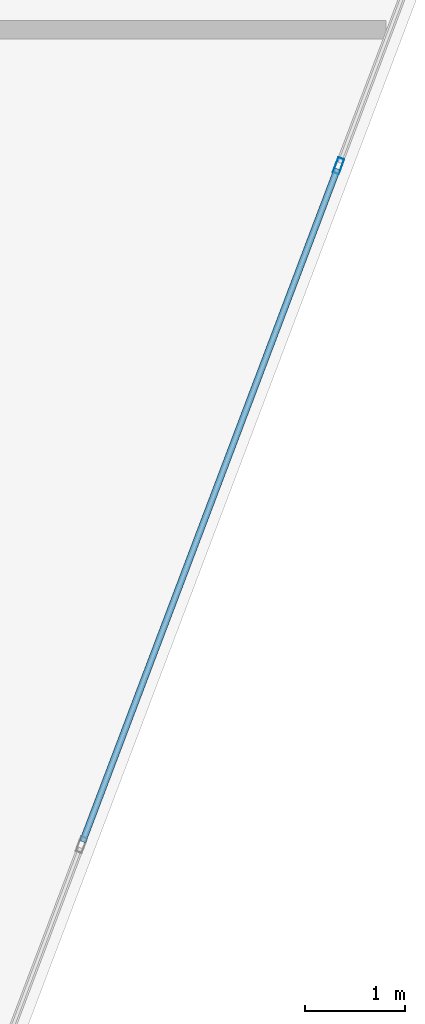
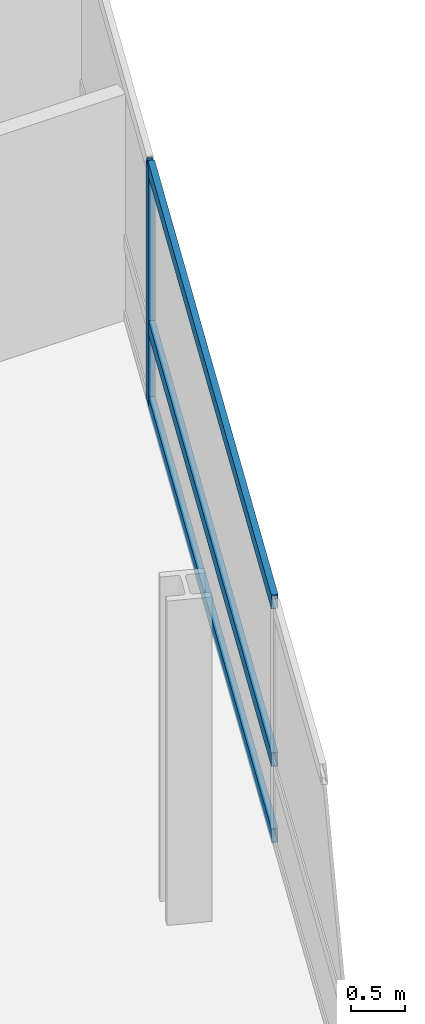
# One storey, part 12 of 25: 4 members, 1 element without a shape of its own.
"""IFC4 building model written with IfcOpenShell, lengths in metres."""

from ifc_helpers import new_model, si_unit, direction, frame, origin, origin_2d, place, context, subcontext, project, spatial, hollow_rectangle, extrude, material, layer, layer_set, material_profile, profile_set, type_object, element, aggregate, save


model = new_model("IFC4")

# Units and contexts
model_context = context("Model", 3, precision=1e-05, world=origin(), true_north=direction((0.0, 1.0)))
body_context = subcontext(model_context, "Body", "Model", "MODEL_VIEW")
ifc_project = project(units=[si_unit("LENGTHUNIT", "METRE"), si_unit("AREAUNIT", "SQUARE_METRE"), si_unit("VOLUMEUNIT", "CUBIC_METRE"), si_unit("PLANEANGLEUNIT", "RADIAN"), si_unit("MASSUNIT", "GRAM", prefix="KILO")], contexts=[model_context])

# Site, building, storey
site_placement = place(None, origin())
site = spatial("IfcSite", under=ifc_project, at=site_placement, CompositionType="ELEMENT")
building_placement = place(site_placement, origin())
building = spatial("IfcBuilding", under=site, at=building_placement, Name="Varnelok Gate Tower", CompositionType="ELEMENT")
storey_placement = place(building_placement, frame((0.0, 0.0, 105.800048828125)))
storey = spatial("IfcBuildingStorey", under=building, at=storey_placement, Name="L26", CompositionType="ELEMENT", Elevation=105.800048828125)

# Curtain wall, members
ifc_material = material(Name="Anodized Aluminum Alloy 6063-T6", Category="aluminium")
ifc_layer = layer(ifc_material, 0.179931640625)
ifc_layer_set = layer_set([ifc_layer], Name="Anodized Aluminum Alloy 6063-T6")
curtain_wall_type = type_object("IfcCurtainWallType", Name="CW3-HOTEL-VISION", PredefinedType="USERDEFINED", material=ifc_layer_set)
curtain_wall_placement = place(storey_placement, origin())
curtain_wall = element("IfcCurtainWall", 1, at=curtain_wall_placement, inside=storey, type_object=curtain_wall_type, Name="L26 East End Vision Curtain Wall", ObjectType="UNITISED CURTAIN WALL", PredefinedType="USERDEFINED")
ifc_material_profile_1 = material_profile(ifc_material, hollow_rectangle(XDim=0.06494140625, YDim=0.159912109375, WallThickness=0.00390625, at=origin_2d()), Name="ALU160X65X4")
ifc_profile_set_1 = profile_set([ifc_material_profile_1], Name="Anodized Aluminum Alloy 6063-T6")
member_type_1 = type_object("IfcMemberType", Name="CW-MULL-160", PredefinedType="MULLION", material=ifc_profile_set_1)
member_1_placement = place(storey_placement, frame((75.328125, 15.4931640625, 0.0), z_axis=(0.0, 0.0, 1.0), x_axis=(0.935221323688, -0.354063660545, 0.0)))
member_1 = element("IfcMember", 2, at=member_1_placement, type_object=member_type_1, Name="CW3 mullion 3", PredefinedType="MULLION", context=body_context, shape_type="SweptSolid", body=[
    extrude(hollow_rectangle(XDim=0.06494140625, YDim=0.159912109375, WallThickness=0.00390625, at=origin_2d()), origin(), (0.0, 0.0, 1.0), 2.72998046875),
])
ifc_material_profile_2 = material_profile(ifc_material, hollow_rectangle(XDim=0.06494140625, YDim=0.159912109375, WallThickness=0.00390625, at=origin_2d()), Name="ALU160X65X4")
ifc_profile_set_2 = profile_set([ifc_material_profile_2], Name="Anodized Aluminum Alloy 6063-T6")
member_type_2 = type_object("IfcMemberType", Name="CW-TRAN-160", PredefinedType="USERDEFINED", material=ifc_profile_set_2)
member_2_placement = place(storey_placement, frame((75.316650390625, 15.462646484375, 0.032470703125), z_axis=(-0.354078724634, -0.935215620465, 0.0), x_axis=(0.935215620465, -0.354078724634, 0.0)))
member_2 = element("IfcMember", 3, at=member_2_placement, type_object=member_type_2, Name="CW3 transom 3.1", ObjectType="TRANSOM", PredefinedType="USERDEFINED", context=body_context, shape_type="SweptSolid", body=[
    extrude(hollow_rectangle(XDim=0.06494140625, YDim=0.159912109375, WallThickness=0.00390625, at=origin_2d()), origin(), (0.0, 0.0, 1.0), 7.175048828125),
])
member_3_placement = place(storey_placement, frame((75.316650390625, 15.462646484375, 0.89990234375), z_axis=(-0.354078724634, -0.935215620465, 0.0), x_axis=(0.935215620465, -0.354078724634, 0.0)))
member_3 = element("IfcMember", 4, at=member_3_placement, type_object=member_type_2, Name="CW3 transom 3.2", ObjectType="TRANSOM", PredefinedType="USERDEFINED", context=body_context, shape_type="SweptSolid", body=[
    extrude(hollow_rectangle(XDim=0.06494140625, YDim=0.159912109375, WallThickness=0.00390625, at=origin_2d()), origin(), (0.0, 0.0, 1.0), 7.175048828125),
])
member_4_placement = place(storey_placement, frame((75.316650390625, 15.462646484375, 2.697509765625), z_axis=(-0.354078724634, -0.935215620465, 0.0), x_axis=(0.935215620465, -0.354078724634, 0.0)))
member_4 = element("IfcMember", 5, at=member_4_placement, type_object=member_type_2, Name="CW3 transom 3.3", ObjectType="TRANSOM", PredefinedType="USERDEFINED", context=body_context, shape_type="SweptSolid", body=[
    extrude(hollow_rectangle(XDim=0.06494140625, YDim=0.159912109375, WallThickness=0.00390625, at=origin_2d()), origin(), (0.0, 0.0, 1.0), 7.175048828125),
])
aggregate(curtain_wall, [member_1, member_2, member_3, member_4])

save(model, "model.ifc")
